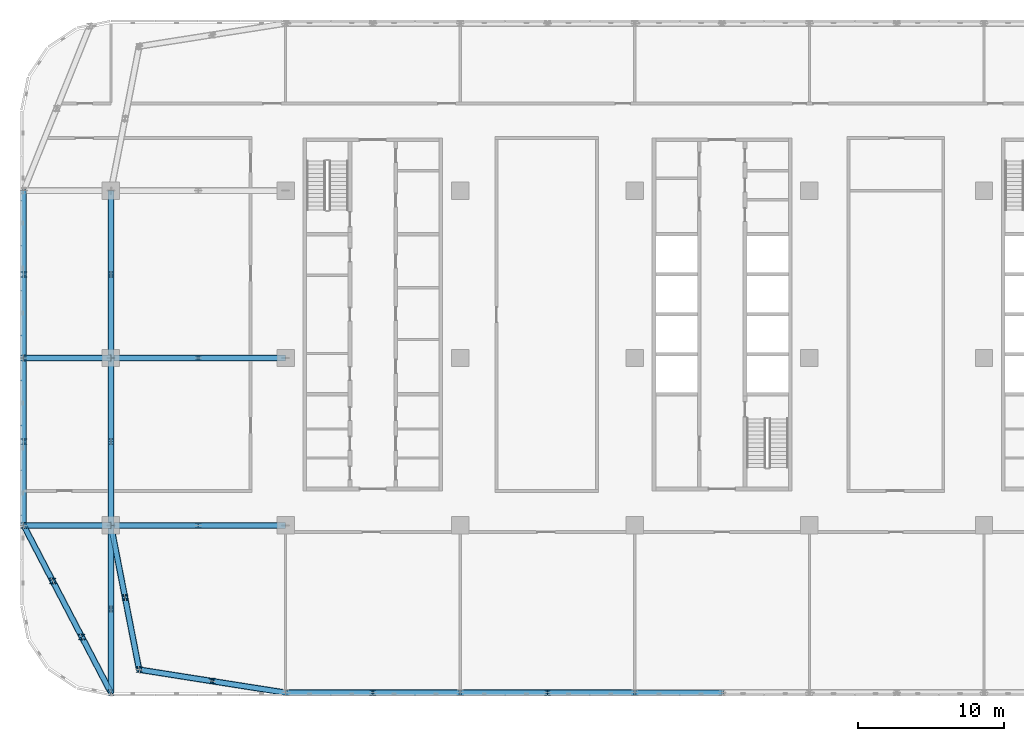
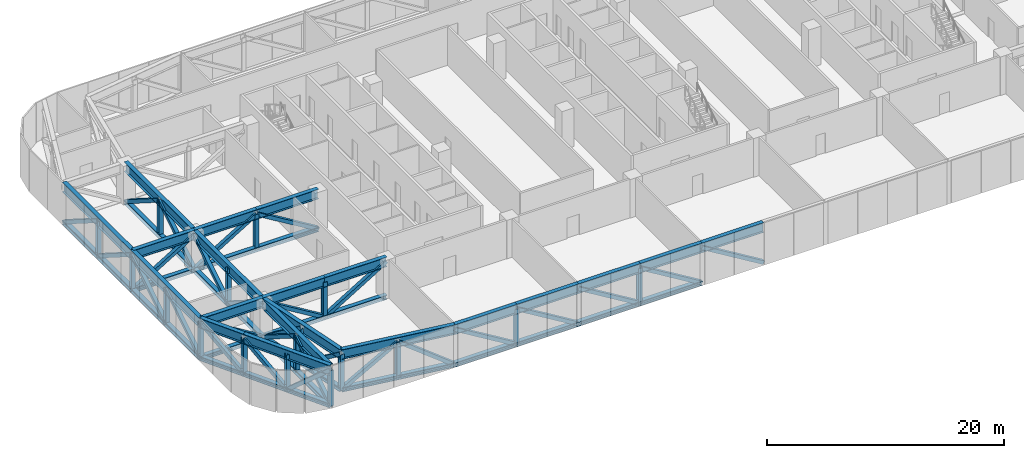
# One storey, part 3 of 26: 80 members.
"""IFC4 building model written with IfcOpenShell, lengths in metres."""

import ifcopenshell
import ifcopenshell.guid

model = None  # the IFC model being written
_history = None  # IfcOwnerHistory: only IFC2X3 demands one
_inside = {}  # id of a spatial element -> (the spatial element, [elements in it])
_under = {}  # id of a project, library or spatial element -> (it, [spatial elements below it])
_declared = {}  # id of a project -> (the project, [libraries it declares])
_typed = {}  # id of a type object -> (the type object, [elements of that type])
_made_of = {}  # id of a material, layer set ... -> (it, [elements and type objects made of it])


def new_model(schema):
    """Start an empty IFC model of exactly this schema.

    Asked for "IFC4X3", IfcOpenShell would pick the latest addendum, in which some entities
    have other attributes; the version numbers below select the first issue.
    IFC2X3 requires an IfcOwnerHistory on every rooted entity: one is made here for all.
    """
    global model, _history
    if schema == "IFC4X3":
        model = ifcopenshell.file(schema_version=(4, 3, 0, 0))
    else:
        model = ifcopenshell.file(schema=schema)
    _inside.clear()
    _under.clear()
    _declared.clear()
    _typed.clear()
    _made_of.clear()
    _history = None
    if model.schema == "IFC2X3":
        org = make("IfcOrganization", Name="unknown")
        user = make(
            "IfcPersonAndOrganization",
            ThePerson=make("IfcPerson", FamilyName="unknown"),
            TheOrganization=org,
        )
        app = make(
            "IfcApplication",
            ApplicationDeveloper=org,
            Version="unknown",
            ApplicationFullName="unknown",
            ApplicationIdentifier="unknown",
        )
        _history = make(
            "IfcOwnerHistory",
            OwningUser=user,
            OwningApplication=app,
            ChangeAction="ADDED",
            CreationDate=0,
        )
    return model


def make(cls, **values):
    """One entity of the class cls with the attributes given. An attribute that is None is left unset."""
    return model.create_entity(
        cls, **{name: value for name, value in values.items() if value is not None}
    )


def rooted(cls, **values):
    """An entity with a GlobalId (a new one), such as an element, a storey or a relation."""
    return make(cls, GlobalId=ifcopenshell.guid.new(), OwnerHistory=_history, **values)


def si_unit(unit_type, name, prefix=None):
    """IfcSIUnit, for example si_unit("LENGTHUNIT", "METRE", prefix="MILLI")."""
    return make("IfcSIUnit", UnitType=unit_type, Prefix=prefix, Name=name)


def assignment(units):
    """IfcUnitAssignment: the units of a project."""
    return None if units is None else make("IfcUnitAssignment", Units=units)


def point(xyz):
    """IfcCartesianPoint."""
    return None if xyz is None else make("IfcCartesianPoint", Coordinates=xyz)


def direction(xyz):
    """IfcDirection."""
    return None if xyz is None else make("IfcDirection", DirectionRatios=xyz)


def frame(location, z_axis=None, x_axis=None):
    """IfcAxis2Placement3D, a coordinate frame: its origin and axes. An axis left out is left unset."""
    return make(
        "IfcAxis2Placement3D",
        Location=point(location),
        Axis=direction(z_axis),
        RefDirection=direction(x_axis),
    )


def frame_2d(location, x_axis=None):
    """IfcAxis2Placement2D, a coordinate frame in the plane: its origin and x axis."""
    return make(
        "IfcAxis2Placement2D", Location=point(location), RefDirection=direction(x_axis)
    )


def origin():
    """The frame at (0, 0, 0) with its axes left unset."""
    return frame((0.0, 0.0, 0.0))


def origin_2d():
    """The frame at (0, 0) in the plane with its x axis left unset."""
    return frame_2d((0.0, 0.0))


def place(relative_to, where):
    """IfcLocalPlacement: puts the frame where relative to a parent placement (None: the world)."""
    return make(
        "IfcLocalPlacement", PlacementRelTo=relative_to, RelativePlacement=where
    )


def context(
    kind, dimensions, precision=None, world=None, true_north=None, identifier=None
):
    """IfcGeometricRepresentationContext, for example the 3D "Model" context."""
    return make(
        "IfcGeometricRepresentationContext",
        ContextIdentifier=identifier,
        ContextType=kind,
        CoordinateSpaceDimension=dimensions,
        Precision=precision,
        WorldCoordinateSystem=world,
        TrueNorth=true_north,
    )


def subcontext(parent, identifier, kind, view, scale=None):
    """IfcGeometricRepresentationSubContext, for example "Body" below "Model"."""
    return make(
        "IfcGeometricRepresentationSubContext",
        ContextIdentifier=identifier,
        ContextType=kind,
        ParentContext=parent,
        TargetScale=scale,
        TargetView=view,
    )


def project(units=None, contexts=None):
    """IfcProject with its units and contexts."""
    return rooted(
        "IfcProject",
        Name="project",
        RepresentationContexts=contexts,
        UnitsInContext=assignment(units),
    )


def spatial(cls, under=None, at=None, **own):
    """A site, building, storey or space (cls), placed at a placement, below another one or the project."""
    s = rooted(cls, ObjectPlacement=at, **own)
    if under is not None:
        _under.setdefault(under.id(), (under, []))[1].append(s)
    return s


def profile(cls, at=None, kind="AREA", **sizes):
    """A parametric profile (cls). Its sizes go by their IFC names, for example OverallWidth=200.0."""
    return make(cls, ProfileType=kind, Position=at, **sizes)


def hollow_rectangle(**sizes):
    """IfcRectangleHollowProfileDef."""
    return profile("IfcRectangleHollowProfileDef", **sizes)


def i_section(**sizes):
    """IfcIShapeProfileDef."""
    return profile("IfcIShapeProfileDef", **sizes)


def extrude(swept, where, along, depth):
    """IfcExtrudedAreaSolid: the profile swept, set in the frame where, extruded along a direction by depth."""
    return make(
        "IfcExtrudedAreaSolid",
        SweptArea=swept,
        Position=where,
        ExtrudedDirection=direction(along),
        Depth=depth,
    )


def shape(context_of_items, identifier, shape_type, items):
    """IfcShapeRepresentation: the items that make up one representation, for example the "Body"."""
    return make(
        "IfcShapeRepresentation",
        ContextOfItems=context_of_items,
        RepresentationIdentifier=identifier,
        RepresentationType=shape_type,
        Items=items,
    )


def material(Name=None, Category=None):
    """IfcMaterial."""
    return make("IfcMaterial", Name=Name, Category=Category)


def material_profile(
    of_material, cross_section, Name=None, Category=None, Priority=None
):
    """IfcMaterialProfile: a cross section and its material."""
    return make(
        "IfcMaterialProfile",
        Name=Name,
        Material=of_material,
        Profile=cross_section,
        Priority=Priority,
        Category=Category,
    )


def profile_set(profiles, Name=None, composite=None):
    """IfcMaterialProfileSet."""
    return make(
        "IfcMaterialProfileSet",
        Name=Name,
        MaterialProfiles=profiles,
        CompositeProfile=composite,
    )


def made_of(thing, what):
    """Note that an element or type object is made of a material, layer set ...; save() writes the relation."""
    if what is not None:
        _made_of.setdefault(what.id(), (what, []))[1].append(thing)
    return thing


def type_object(cls, material=None, **own):
    """A type object (cls), such as IfcWallType, which elements share."""
    return made_of(rooted(cls, **own), material)


def element(
    cls,
    number,
    at=None,
    inside=None,
    cuts=None,
    type_object=None,
    material=None,
    context=None,
    identifier="Body",
    shape_type=None,
    held_by="IfcProductDefinitionShape",
    body=None,
    shapes=None,
    **own,
):
    """One element of the class cls, such as IfcWall. Its Tag is "e" and its number.

    at: its placement. inside: the storey or other place that contains it. cuts: it is an
    opening in that element (IfcRelVoidsElement). A single representation is given by context,
    identifier, shape_type and body (its items); several are given by shapes. held_by: the class
    of the entity that holds the representations. save() writes the other relations.
    """
    e = rooted(cls, Tag="e%d" % number, ObjectPlacement=at, **own)
    if body is not None:
        shapes = [shape(context, identifier, shape_type, body)]
    if shapes is not None:
        e.Representation = make(held_by, Representations=shapes)
    if inside is not None:
        _inside.setdefault(inside.id(), (inside, []))[1].append(e)
    if cuts is not None:
        rooted(
            "IfcRelVoidsElement", RelatingBuildingElement=cuts, RelatedOpeningElement=e
        )
    if type_object is not None:
        _typed.setdefault(type_object.id(), (type_object, []))[1].append(e)
    return made_of(e, material)


def aggregate(whole, parts):
    """IfcRelAggregates: a whole, such as a stair, and the parts it consists of."""
    return rooted("IfcRelAggregates", RelatingObject=whole, RelatedObjects=parts)


def save(model, path):
    """Write the relations noted so far, then the file.

    IfcRelAggregates (storeys below a building ...), IfcRelContainedInSpatialStructure (elements
    in a storey), IfcRelDefinesByType, IfcRelAssociatesMaterial and IfcRelDeclares: one each for
    every whole, place, type object, material and project.
    """
    for whole, parts in _under.values():
        aggregate(whole, parts)
    for where, things in _inside.values():
        rooted(
            "IfcRelContainedInSpatialStructure",
            RelatedElements=things,
            RelatingStructure=where,
        )
    for kind, things in _typed.values():
        rooted("IfcRelDefinesByType", RelatedObjects=things, RelatingType=kind)
    for what, things in _made_of.values():
        rooted("IfcRelAssociatesMaterial", RelatedObjects=things, RelatingMaterial=what)
    for by, libraries in _declared.values():
        rooted("IfcRelDeclares", RelatingContext=by, RelatedDefinitions=libraries)
    model.write(path)


model = new_model("IFC4")

# Units and contexts
model_context = context("Model", 3, precision=1e-05, world=origin(), true_north=direction((0.0, 1.0)))
body_context = subcontext(model_context, "Body", "Model", "MODEL_VIEW")
ifc_project = project(units=[si_unit("LENGTHUNIT", "METRE"), si_unit("AREAUNIT", "SQUARE_METRE"), si_unit("VOLUMEUNIT", "CUBIC_METRE"), si_unit("PLANEANGLEUNIT", "RADIAN"), si_unit("MASSUNIT", "GRAM", prefix="KILO")], contexts=[model_context])

# Site, building, storey
site_placement = place(None, origin())
site = spatial("IfcSite", under=ifc_project, at=site_placement, CompositionType="ELEMENT")
building_placement = place(site_placement, origin())
building = spatial("IfcBuilding", under=site, at=building_placement, Name="Mahtab Terrace Research Tower", CompositionType="ELEMENT")
storey_placement = place(building_placement, frame((0.0, 0.0, 189.60009765625)))
storey = spatial("IfcBuildingStorey", under=building, at=storey_placement, Name="L45", CompositionType="ELEMENT", Elevation=189.60009765625)

# Members
ifc_material_1 = material(Name="Steel ASTM A500 Gr C", Category="steel")
ifc_material_profile_1 = material_profile(ifc_material_1, hollow_rectangle(XDim=0.355712890625, YDim=0.355712890625, WallThickness=0.015869140625, at=origin_2d()), Name="HSS14X14X5/8")
ifc_profile_set_1 = profile_set([ifc_material_profile_1], Name="Steel ASTM A500 Gr C")
member_type_1 = type_object("IfcMemberType", Name="HSS 14x14x5/8 brace TD141458", PredefinedType="BRACE", material=ifc_profile_set_1)
member_1_placement = place(storey_placement, frame((-48.0, -11.5, -0.177734375), z_axis=(0.0, 0.845115229352, 0.534584183377), x_axis=(-1.0, 0.0, 0.0)))
element("IfcMember", 1, at=member_1_placement, inside=storey, type_object=member_type_1, Name="Transfer truss T5 diagonal 001", PredefinedType="BRACE", context=body_context, shape_type="SweptSolid", body=[
    extrude(hollow_rectangle(XDim=0.355712890625, YDim=0.355712890625, WallThickness=0.015869140625, at=origin_2d()), origin(), (0.0, 0.0, 1.0), 6.8037109375),
])
member_2_placement = place(storey_placement, frame((-42.0, -11.5, -0.177734375), z_axis=(-0.855144546512, 0.0, 0.518389626218), x_axis=(0.0, -1.0, 0.0)))
element("IfcMember", 2, at=member_2_placement, inside=storey, type_object=member_type_1, Name="Transfer truss T5 diagonal 002", PredefinedType="BRACE", context=body_context, shape_type="SweptSolid", body=[
    extrude(hollow_rectangle(XDim=0.355712890625, YDim=0.355712890625, WallThickness=0.015869140625, at=origin_2d()), origin(), (0.0, 0.0, 1.0), 7.016357421875),
])
for number, where, z_axis, x_axis, name in (
    (3, (-48.0, -5.75, -0.177734375), (0.0, 0.845115229352, 0.534584183377), (-1.0, 0.0, 0.0), "Transfer truss T5 diagonal 003"),
    (4, (-48.0, 5.75, -0.177734375), (0.0, -0.845115229352, 0.534584183377), (1.0, 0.0, 0.0), "Transfer truss T5 diagonal 004"),
):
    element("IfcMember", number, at=place(storey_placement, frame(where, z_axis=z_axis, x_axis=x_axis)), inside=storey, type_object=member_type_1, Name=name, PredefinedType="BRACE", context=body_context, shape_type="SweptSolid", body=[
        extrude(hollow_rectangle(XDim=0.355712890625, YDim=0.355712890625, WallThickness=0.015869140625, at=origin_2d()), origin(), (0.0, 0.0, 1.0), 6.8037109375),
    ])
member_3_placement = place(storey_placement, frame((-48.0, 0.0, -0.177734375), z_axis=(0.855144546512, 0.0, 0.518389626218), x_axis=(0.0, 1.0, 0.0)))
element("IfcMember", 5, at=member_3_placement, inside=storey, type_object=member_type_1, Name="Transfer truss T5 diagonal 005", PredefinedType="BRACE", context=body_context, shape_type="SweptSolid", body=[
    extrude(hollow_rectangle(XDim=0.355712890625, YDim=0.355712890625, WallThickness=0.015869140625, at=origin_2d()), origin(), (0.0, 0.0, 1.0), 7.016357421875),
])
member_4_placement = place(storey_placement, frame((-48.0, 11.5, -0.177734375), z_axis=(0.0, -0.845115229352, 0.534584183377), x_axis=(1.0, 0.0, 0.0)))
element("IfcMember", 6, at=member_4_placement, inside=storey, type_object=member_type_1, Name="Transfer truss T5 diagonal 006", PredefinedType="BRACE", context=body_context, shape_type="SweptSolid", body=[
    extrude(hollow_rectangle(XDim=0.355712890625, YDim=0.355712890625, WallThickness=0.015869140625, at=origin_2d()), origin(), (0.0, 0.0, 1.0), 6.8037109375),
])
member_5_placement = place(storey_placement, frame((-46.0, -15.3330078125, -0.177734375), z_axis=(-0.353989376425, 0.678422022689, 0.64376632446), x_axis=(-0.886568735502, -0.462596884155, 0.0)))
element("IfcMember", 7, at=member_5_placement, inside=storey, type_object=member_type_1, Name="Transfer truss T5 diagonal 009", PredefinedType="BRACE", context=body_context, shape_type="SweptSolid", body=[
    extrude(hollow_rectangle(XDim=0.355712890625, YDim=0.355712890625, WallThickness=0.015869140625, at=origin_2d()), origin(), (0.0, 0.0, 1.0), 5.64990234375),
])
member_6_placement = place(storey_placement, frame((-44.0, -19.1669921875, -0.177734375), z_axis=(-0.353947868658, 0.678515298999, 0.643690838289), x_axis=(-0.886617057815, -0.462504262457, 0.0)))
element("IfcMember", 8, at=member_6_placement, inside=storey, type_object=member_type_1, Name="Transfer truss T5 diagonal 011", PredefinedType="BRACE", context=body_context, shape_type="SweptSolid", body=[
    extrude(hollow_rectangle(XDim=0.355712890625, YDim=0.355712890625, WallThickness=0.015869140625, at=origin_2d()), origin(), (0.0, 0.0, 1.0), 5.650634765625),
])
member_7_placement = place(storey_placement, frame((-44.0, -19.1669921875, -0.177734375), z_axis=(0.353989376425, -0.678422022689, 0.64376632446), x_axis=(0.886568735502, 0.462596884155, 0.0)))
element("IfcMember", 9, at=member_7_placement, inside=storey, type_object=member_type_1, Name="Transfer truss T5 diagonal 012", PredefinedType="BRACE", context=body_context, shape_type="SweptSolid", body=[
    extrude(hollow_rectangle(XDim=0.355712890625, YDim=0.355712890625, WallThickness=0.015869140625, at=origin_2d()), origin(), (0.0, 0.0, 1.0), 5.64990234375),
])
for number, where, z_axis, x_axis, name in (
    (10, (-42.0, -23.0, -0.177734375), (0.0, 0.845115229352, 0.534584183377), (-1.0, 0.0, 0.0), "Transfer truss T5 diagonal 013"),
    (11, (-42.0, -11.5, -0.177734375), (0.0, -0.845115229352, 0.534584183377), (1.0, 0.0, 0.0), "Transfer truss T5 diagonal 014"),
):
    element("IfcMember", number, at=place(storey_placement, frame(where, z_axis=z_axis, x_axis=x_axis)), inside=storey, type_object=member_type_1, Name=name, PredefinedType="BRACE", context=body_context, shape_type="SweptSolid", body=[
        extrude(hollow_rectangle(XDim=0.355712890625, YDim=0.355712890625, WallThickness=0.015869140625, at=origin_2d()), origin(), (0.0, 0.0, 1.0), 6.8037109375),
    ])
member_8_placement = place(storey_placement, frame((-42.0, -11.5, -0.177734375), z_axis=(0.1556628319, -0.79647286224, 0.584294499786), x_axis=(0.981431833016, 0.191811253951, 0.0)))
element("IfcMember", 12, at=member_8_placement, inside=storey, type_object=member_type_1, Name="Transfer truss T5 diagonal 015", PredefinedType="BRACE", context=body_context, shape_type="SweptSolid", body=[
    extrude(hollow_rectangle(XDim=0.355712890625, YDim=0.355712890625, WallThickness=0.015869140625, at=origin_2d()), origin(), (0.0, 0.0, 1.0), 6.224853515625),
])
member_9_placement = place(storey_placement, frame((-36.0, -11.5, -0.177734375), z_axis=(-0.855144546512, 0.0, 0.518389626218), x_axis=(0.0, -1.0, 0.0)))
element("IfcMember", 13, at=member_9_placement, inside=storey, type_object=member_type_1, Name="Transfer truss T5 diagonal 016", PredefinedType="BRACE", context=body_context, shape_type="SweptSolid", body=[
    extrude(hollow_rectangle(XDim=0.355712890625, YDim=0.355712890625, WallThickness=0.015869140625, at=origin_2d()), origin(), (0.0, 0.0, 1.0), 7.016357421875),
])
for number, where, z_axis, x_axis, name in (
    (14, (-42.0, -5.75, -0.177734375), (0.0, -0.845115229352, 0.534584183377), (1.0, 0.0, 0.0), "Transfer truss T5 diagonal 017"),
    (15, (-42.0, -5.75, -0.177734375), (0.0, 0.845115229352, 0.534584183377), (-1.0, 0.0, 0.0), "Transfer truss T5 diagonal 018"),
):
    element("IfcMember", number, at=place(storey_placement, frame(where, z_axis=z_axis, x_axis=x_axis)), inside=storey, type_object=member_type_1, Name=name, PredefinedType="BRACE", context=body_context, shape_type="SweptSolid", body=[
        extrude(hollow_rectangle(XDim=0.355712890625, YDim=0.355712890625, WallThickness=0.015869140625, at=origin_2d()), origin(), (0.0, 0.0, 1.0), 6.8037109375),
    ])
member_10_placement = place(storey_placement, frame((-42.0, 0.0, -0.177734375), z_axis=(0.855144546512, 0.0, 0.518389626218), x_axis=(0.0, 1.0, 0.0)))
element("IfcMember", 16, at=member_10_placement, inside=storey, type_object=member_type_1, Name="Transfer truss T5 diagonal 019", PredefinedType="BRACE", context=body_context, shape_type="SweptSolid", body=[
    extrude(hollow_rectangle(XDim=0.355712890625, YDim=0.355712890625, WallThickness=0.015869140625, at=origin_2d()), origin(), (0.0, 0.0, 1.0), 7.016357421875),
])
for number, where, z_axis, x_axis, name in (
    (17, (-42.0, 0.0, -0.177734375), (0.0, 0.845115229352, 0.534584183377), (-1.0, 0.0, 0.0), "Transfer truss T5 diagonal 020"),
    (18, (-42.0, 11.5, -0.177734375), (0.0, -0.845115229352, 0.534584183377), (1.0, 0.0, 0.0), "Transfer truss T5 diagonal 021"),
):
    element("IfcMember", number, at=place(storey_placement, frame(where, z_axis=z_axis, x_axis=x_axis)), inside=storey, type_object=member_type_1, Name=name, PredefinedType="BRACE", context=body_context, shape_type="SweptSolid", body=[
        extrude(hollow_rectangle(XDim=0.355712890625, YDim=0.355712890625, WallThickness=0.015869140625, at=origin_2d()), origin(), (0.0, 0.0, 1.0), 6.8037109375),
    ])
member_11_placement = place(storey_placement, frame((-41.031005859375, -16.4580078125, -0.177734375), z_axis=(0.1556628319, -0.79647286224, 0.584294499786), x_axis=(0.981431833016, 0.191811253951, 0.0)))
element("IfcMember", 19, at=member_11_placement, inside=storey, type_object=member_type_1, Name="Transfer truss T5 diagonal 023", PredefinedType="BRACE", context=body_context, shape_type="SweptSolid", body=[
    extrude(hollow_rectangle(XDim=0.355712890625, YDim=0.355712890625, WallThickness=0.015869140625, at=origin_2d()), origin(), (0.0, 0.0, 1.0), 6.224853515625),
])
member_12_placement = place(storey_placement, frame((-40.06201171875, -21.416015625, -0.177734375), z_axis=(0.803880768262, -0.126548707344, 0.581172207773), x_axis=(0.155507156777, 0.987834765632, 0.0)))
element("IfcMember", 20, at=member_12_placement, inside=storey, type_object=member_type_1, Name="Transfer truss T5 diagonal 025", PredefinedType="BRACE", context=body_context, shape_type="SweptSolid", body=[
    extrude(hollow_rectangle(XDim=0.355712890625, YDim=0.355712890625, WallThickness=0.015869140625, at=origin_2d()), origin(), (0.0, 0.0, 1.0), 6.25830078125),
])
for number, where, z_axis, x_axis, name in (
    (21, (-36.0, -11.5, -0.177734375), (0.855144546512, 0.0, 0.518389626218), (0.0, 1.0, 0.0), "Transfer truss T5 diagonal 027"),
    (22, (-30.0, 0.0, -0.177734375), (-0.855144546512, 0.0, 0.518389626218), (0.0, -1.0, 0.0), "Transfer truss T5 diagonal 028"),
):
    element("IfcMember", number, at=place(storey_placement, frame(where, z_axis=z_axis, x_axis=x_axis)), inside=storey, type_object=member_type_1, Name=name, PredefinedType="BRACE", context=body_context, shape_type="SweptSolid", body=[
        extrude(hollow_rectangle(XDim=0.355712890625, YDim=0.355712890625, WallThickness=0.015869140625, at=origin_2d()), origin(), (0.0, 0.0, 1.0), 7.016357421875),
    ])
member_13_placement = place(storey_placement, frame((-30.0, -23.0, -0.177734375), z_axis=(-0.803880768262, 0.126548707344, 0.581172207773), x_axis=(-0.155507156777, -0.987834765632, 0.0)))
element("IfcMember", 23, at=member_13_placement, inside=storey, type_object=member_type_1, Name="Transfer truss T5 diagonal 030", PredefinedType="BRACE", context=body_context, shape_type="SweptSolid", body=[
    extrude(hollow_rectangle(XDim=0.355712890625, YDim=0.355712890625, WallThickness=0.015869140625, at=origin_2d()), origin(), (0.0, 0.0, 1.0), 6.25830078125),
])
for number, where, z_axis, x_axis, name in (
    (24, (-24.0, -23.0, -0.177734375), (-0.855144546512, 0.0, 0.518389626218), (0.0, -1.0, 0.0), "Transfer truss T5 diagonal 032"),
    (25, (-18.0, -23.0, -0.177734375), (-0.855144546512, 0.0, 0.518389626218), (0.0, -1.0, 0.0), "Transfer truss T5 diagonal 034"),
    (26, (-12.0, -23.0, -0.177734375), (-0.855144546512, 0.0, 0.518389626218), (0.0, -1.0, 0.0), "Transfer truss T5 diagonal 036"),
    (27, (-6.0, -23.0, -0.177734375), (-0.855144546512, 0.0, 0.518389626218), (0.0, -1.0, 0.0), "Transfer truss T5 diagonal 038"),
    (28, (0.0, -23.0, -0.177734375), (-0.855144546512, 0.0, 0.518389626218), (0.0, -1.0, 0.0), "Transfer truss T5 diagonal 040"),
):
    element("IfcMember", number, at=place(storey_placement, frame(where, z_axis=z_axis, x_axis=x_axis)), inside=storey, type_object=member_type_1, Name=name, PredefinedType="BRACE", context=body_context, shape_type="SweptSolid", body=[
        extrude(hollow_rectangle(XDim=0.355712890625, YDim=0.355712890625, WallThickness=0.015869140625, at=origin_2d()), origin(), (0.0, 0.0, 1.0), 7.016357421875),
    ])
ifc_material_2 = material(Name="Steel ASTM A992 Gr 50", Category="steel")
ifc_material_profile_2 = material_profile(ifc_material_2, i_section(OverallWidth=0.396240234375, OverallDepth=0.381103515625, WebThickness=0.018798828125, FlangeThickness=0.0302734375, at=origin_2d()), Name="W14X159")
ifc_profile_set_2 = profile_set([ifc_material_profile_2], Name="Steel ASTM A992 Gr 50")
member_type_2 = type_object("IfcMemberType", Name="W14x159 post TP14159", PredefinedType="POST", material=ifc_profile_set_2)
for number, where, z_axis, x_axis, name in (
    (29, (-48.0, -11.5, -0.177734375), (0.0, 0.0, 1.0), (1.0, 0.0, 0.0), "Transfer truss T5 post 001"),
    (30, (-48.0, -5.75, -0.177734375), (0.0, 0.0, 1.0), (1.0, 0.0, 0.0), "Transfer truss T5 post 002"),
    (31, (-48.0, 0.0, -0.177734375), (0.0, 0.0, 1.0), (1.0, 0.0, 0.0), "Transfer truss T5 post 003"),
    (32, (-48.0, 5.75, -0.177734375), (0.0, 0.0, 1.0), (1.0, 0.0, 0.0), "Transfer truss T5 post 004"),
    (33, (-46.0, -15.330078125, -0.177734375), (0.0, 0.0, 1.0), (1.0, 0.0, 0.0), "Transfer truss T5 post 006"),
    (34, (-44.0, -19.169921875, -0.177734375), (0.0, 0.0, 1.0), (1.0, 0.0, 0.0), "Transfer truss T5 post 008"),
    (35, (-42.0, -23.0, -0.177734375), (0.0, 0.0, 1.0), (1.0, 0.0, 0.0), "Transfer truss T5 post 010"),
    (36, (-42.0, -17.25, -0.177734375), (0.0, 0.0, 1.0), (1.0, 0.0, 0.0), "Transfer truss T5 post 011"),
    (37, (-42.0, -5.75, -0.177734375), (0.0, 0.0, 1.0), (1.0, 0.0, 0.0), "Transfer truss T5 post 013"),
    (38, (-42.0, 5.75, -0.177734375), (0.0, 0.0, 1.0), (1.0, 0.0, 0.0), "Transfer truss T5 post 015"),
    (39, (-41.030029296875, -16.4599609375, -0.177734375), (0.0, 0.0, 1.0), (1.0, 0.0, 0.0), "Transfer truss T5 post 017"),
    (40, (-40.06005859375, -21.419921875, -0.177734375), (0.0, 0.0, 1.0), (1.0, 0.0, 0.0), "Transfer truss T5 post 019"),
    (41, (-36.0, -11.5, -0.177734375), (0.0, 0.0, 1.0), (1.0, 0.0, 0.0), "Transfer truss T5 post 021"),
    (42, (-36.0, 0.0, -0.177734375), (0.0, 0.0, 1.0), (1.0, 0.0, 0.0), "Transfer truss T5 post 022"),
    (43, (-35.030029296875, -22.2099609375, -0.177734375), (0.0, 0.0, 1.0), (1.0, 0.0, 0.0), "Transfer truss T5 post 024"),
    (44, (-24.0, -23.0, -0.177734375), (0.0, 0.0, 1.0), (1.0, 0.0, 0.0), "Transfer truss T5 post 031"),
    (45, (-12.0, -23.0, -0.177734375), (0.0, 0.0, 1.0), (1.0, 0.0, 0.0), "Transfer truss T5 post 035"),
):
    element("IfcMember", number, at=place(storey_placement, frame(where, z_axis=z_axis, x_axis=x_axis)), inside=storey, type_object=member_type_2, Name=name, PredefinedType="POST", context=body_context, shape_type="SweptSolid", body=[
        extrude(i_section(OverallWidth=0.396240234375, OverallDepth=0.381103515625, WebThickness=0.018798828125, FlangeThickness=0.0302734375, at=origin_2d()), origin(), (0.0, 0.0, 1.0), 3.63720703125),
    ])
ifc_material_profile_3 = material_profile(ifc_material_2, i_section(OverallWidth=0.41650390625, OverallDepth=0.444580078125, WebThickness=0.0390625, FlangeThickness=0.062744140625, at=origin_2d()), Name="W14X342")
ifc_profile_set_3 = profile_set([ifc_material_profile_3], Name="Steel ASTM A992 Gr 50")
member_type_3 = type_object("IfcMemberType", Name="W14x342 chord TC14342", PredefinedType="CHORD", material=ifc_profile_set_3)
for number, where, z_axis, x_axis, name in (
    (46, (-48.0, -11.5, -0.177734375), (0.0, 1.0, 0.0), (-1.0, 0.0, 0.0), "Transfer truss T5 bottom chord 001"),
    (47, (-48.0, 0.0, -0.177734375), (0.0, 1.0, 0.0), (-1.0, 0.0, 0.0), "Transfer truss T5 bottom chord 002"),
):
    element("IfcMember", number, at=place(storey_placement, frame(where, z_axis=z_axis, x_axis=x_axis)), inside=storey, type_object=member_type_3, Name=name, PredefinedType="CHORD", context=body_context, shape_type="SweptSolid", body=[
        extrude(i_section(OverallWidth=0.41650390625, OverallDepth=0.444580078125, WebThickness=0.0390625, FlangeThickness=0.062744140625, at=origin_2d()), origin(), (0.0, 0.0, 1.0), 11.5),
    ])
member_14_placement = place(storey_placement, frame((-48.0, -11.5, -0.177734375), z_axis=(1.0, 0.0, 0.0), x_axis=(0.0, 1.0, 0.0)))
element("IfcMember", 48, at=member_14_placement, inside=storey, type_object=member_type_3, Name="Transfer truss T5 bottom chord 003", PredefinedType="CHORD", context=body_context, shape_type="SweptSolid", body=[
    extrude(i_section(OverallWidth=0.41650390625, OverallDepth=0.444580078125, WebThickness=0.0390625, FlangeThickness=0.062744140625, at=origin_2d()), origin(), (0.0, 0.0, 1.0), 6.0),
])
member_15_placement = place(storey_placement, frame((-42.0, -11.5, -0.177734375), z_axis=(1.0, 0.0, 0.0), x_axis=(0.0, 1.0, 0.0)))
element("IfcMember", 49, at=member_15_placement, inside=storey, type_object=member_type_3, Name="Transfer truss T5 bottom chord 004", PredefinedType="CHORD", context=body_context, shape_type="SweptSolid", body=[
    extrude(i_section(OverallWidth=0.41650390625, OverallDepth=0.444580078125, WebThickness=0.0390625, FlangeThickness=0.062744140625, at=origin_2d()), origin(), (0.0, 0.0, 1.0), 12.0),
])
member_16_placement = place(storey_placement, frame((-42.0, -23.0, -0.177734375), z_axis=(-0.4625505693, 0.886592900287, 0.0), x_axis=(-0.886592900287, -0.4625505693, 0.0)))
element("IfcMember", 50, at=member_16_placement, inside=storey, type_object=member_type_3, Name="Transfer truss T5 bottom chord 005", PredefinedType="CHORD", context=body_context, shape_type="SweptSolid", body=[
    extrude(i_section(OverallWidth=0.41650390625, OverallDepth=0.444580078125, WebThickness=0.0390625, FlangeThickness=0.062744140625, at=origin_2d()), origin(), (0.0, 0.0, 1.0), 8.647705078125),
])
member_17_placement = place(storey_placement, frame((-46.0, -15.3330078125, -0.177734375), z_axis=(-0.462596884155, 0.886568735502, 0.0), x_axis=(-0.886568735502, -0.462596884155, 0.0)))
element("IfcMember", 51, at=member_17_placement, inside=storey, type_object=member_type_3, Name="Transfer truss T5 bottom chord 006", PredefinedType="CHORD", context=body_context, shape_type="SweptSolid", body=[
    extrude(i_section(OverallWidth=0.41650390625, OverallDepth=0.444580078125, WebThickness=0.0390625, FlangeThickness=0.062744140625, at=origin_2d()), origin(), (0.0, 0.0, 1.0), 4.323486328125),
])
member_18_placement = place(storey_placement, frame((-48.0, 0.0, -0.177734375), z_axis=(1.0, 0.0, 0.0), x_axis=(0.0, 1.0, 0.0)))
element("IfcMember", 52, at=member_18_placement, inside=storey, type_object=member_type_3, Name="Transfer truss T5 bottom chord 007", PredefinedType="CHORD", context=body_context, shape_type="SweptSolid", body=[
    extrude(i_section(OverallWidth=0.41650390625, OverallDepth=0.444580078125, WebThickness=0.0390625, FlangeThickness=0.062744140625, at=origin_2d()), origin(), (0.0, 0.0, 1.0), 6.0),
])
member_19_placement = place(storey_placement, frame((-42.0, 0.0, -0.177734375), z_axis=(1.0, 0.0, 0.0), x_axis=(0.0, 1.0, 0.0)))
element("IfcMember", 53, at=member_19_placement, inside=storey, type_object=member_type_3, Name="Transfer truss T5 bottom chord 008", PredefinedType="CHORD", context=body_context, shape_type="SweptSolid", body=[
    extrude(i_section(OverallWidth=0.41650390625, OverallDepth=0.444580078125, WebThickness=0.0390625, FlangeThickness=0.062744140625, at=origin_2d()), origin(), (0.0, 0.0, 1.0), 12.0),
])
for number, where, z_axis, x_axis, name in (
    (54, (-42.0, -23.0, -0.177734375), (0.0, 1.0, 0.0), (-1.0, 0.0, 0.0), "Transfer truss T5 bottom chord 013"),
    (55, (-42.0, -11.5, -0.177734375), (0.0, 1.0, 0.0), (-1.0, 0.0, 0.0), "Transfer truss T5 bottom chord 014"),
    (56, (-42.0, 0.0, -0.177734375), (0.0, 1.0, 0.0), (-1.0, 0.0, 0.0), "Transfer truss T5 bottom chord 015"),
):
    element("IfcMember", number, at=place(storey_placement, frame(where, z_axis=z_axis, x_axis=x_axis)), inside=storey, type_object=member_type_3, Name=name, PredefinedType="CHORD", context=body_context, shape_type="SweptSolid", body=[
        extrude(i_section(OverallWidth=0.41650390625, OverallDepth=0.444580078125, WebThickness=0.0390625, FlangeThickness=0.062744140625, at=origin_2d()), origin(), (0.0, 0.0, 1.0), 11.5),
    ])
member_20_placement = place(storey_placement, frame((-42.0, -11.5, -0.177734375), z_axis=(0.191811253951, -0.981431833016, 0.0), x_axis=(0.981431833016, 0.191811253951, 0.0)))
element("IfcMember", 57, at=member_20_placement, inside=storey, type_object=member_type_3, Name="Transfer truss T5 bottom chord 016", PredefinedType="CHORD", context=body_context, shape_type="SweptSolid", body=[
    extrude(i_section(OverallWidth=0.41650390625, OverallDepth=0.444580078125, WebThickness=0.0390625, FlangeThickness=0.062744140625, at=origin_2d()), origin(), (0.0, 0.0, 1.0), 10.103515625),
])
member_21_placement = place(storey_placement, frame((-40.06201171875, -21.416015625, -0.177734375), z_axis=(0.987834765632, -0.155507156777, 0.0), x_axis=(0.155507156777, 0.987834765632, 0.0)))
element("IfcMember", 58, at=member_21_placement, inside=storey, type_object=member_type_3, Name="Transfer truss T5 bottom chord 018", PredefinedType="CHORD", context=body_context, shape_type="SweptSolid", body=[
    extrude(i_section(OverallWidth=0.41650390625, OverallDepth=0.444580078125, WebThickness=0.0390625, FlangeThickness=0.062744140625, at=origin_2d()), origin(), (0.0, 0.0, 1.0), 10.18603515625),
])
for number, where, z_axis, x_axis, name in (
    (59, (-30.0, -23.0, -0.177734375), (1.0, 0.0, 0.0), (0.0, 1.0, 0.0), "Transfer truss T5 bottom chord 020"),
    (60, (-18.0, -23.0, -0.177734375), (1.0, 0.0, 0.0), (0.0, 1.0, 0.0), "Transfer truss T5 bottom chord 021"),
):
    element("IfcMember", number, at=place(storey_placement, frame(where, z_axis=z_axis, x_axis=x_axis)), inside=storey, type_object=member_type_3, Name=name, PredefinedType="CHORD", context=body_context, shape_type="SweptSolid", body=[
        extrude(i_section(OverallWidth=0.41650390625, OverallDepth=0.444580078125, WebThickness=0.0390625, FlangeThickness=0.062744140625, at=origin_2d()), origin(), (0.0, 0.0, 1.0), 12.0),
    ])
ifc_material_profile_4 = material_profile(ifc_material_2, i_section(OverallWidth=0.4013671875, OverallDepth=1.000732421875, WebThickness=0.01904296875, FlangeThickness=0.0361328125, at=origin_2d()), Name="W40X249")
ifc_profile_set_4 = profile_set([ifc_material_profile_4], Name="Steel ASTM A992 Gr 50")
member_type_4 = type_object("IfcMemberType", Name="W40x249 chord TT40249", PredefinedType="CHORD", material=ifc_profile_set_4)
for number, where, z_axis, x_axis, name in (
    (61, (-48.0, -11.5, 3.45947265625), (0.0, 1.0, 0.0), (-1.0, 0.0, 0.0), "Transfer truss T5 top chord 001"),
    (62, (-48.0, 0.0, 3.45947265625), (0.0, 1.0, 0.0), (-1.0, 0.0, 0.0), "Transfer truss T5 top chord 002"),
):
    element("IfcMember", number, at=place(storey_placement, frame(where, z_axis=z_axis, x_axis=x_axis)), inside=storey, type_object=member_type_4, Name=name, PredefinedType="CHORD", context=body_context, shape_type="SweptSolid", body=[
        extrude(i_section(OverallWidth=0.4013671875, OverallDepth=1.000732421875, WebThickness=0.01904296875, FlangeThickness=0.0361328125, at=origin_2d()), origin(), (0.0, 0.0, 1.0), 11.5),
    ])
for number, where, z_axis, x_axis, name in (
    (63, (-48.0, -11.5, 3.45947265625), (1.0, 0.0, 0.0), (0.0, 1.0, 0.0), "Transfer truss T5 top chord 003"),
    (64, (-42.0, -11.5, 3.45947265625), (1.0, 0.0, 0.0), (0.0, 1.0, 0.0), "Transfer truss T5 top chord 004"),
    (65, (-36.0, -11.5, 3.45947265625), (1.0, 0.0, 0.0), (0.0, 1.0, 0.0), "Transfer truss T5 top chord 005"),
):
    element("IfcMember", number, at=place(storey_placement, frame(where, z_axis=z_axis, x_axis=x_axis)), inside=storey, type_object=member_type_4, Name=name, PredefinedType="CHORD", context=body_context, shape_type="SweptSolid", body=[
        extrude(i_section(OverallWidth=0.4013671875, OverallDepth=1.000732421875, WebThickness=0.01904296875, FlangeThickness=0.0361328125, at=origin_2d()), origin(), (0.0, 0.0, 1.0), 6.0),
    ])
member_22_placement = place(storey_placement, frame((-42.0, -23.0, 3.45947265625), z_axis=(-0.4625505693, 0.886592900287, 0.0), x_axis=(-0.886592900287, -0.4625505693, 0.0)))
element("IfcMember", 66, at=member_22_placement, inside=storey, type_object=member_type_4, Name="Transfer truss T5 top chord 006", PredefinedType="CHORD", context=body_context, shape_type="SweptSolid", body=[
    extrude(i_section(OverallWidth=0.4013671875, OverallDepth=1.000732421875, WebThickness=0.01904296875, FlangeThickness=0.0361328125, at=origin_2d()), origin(), (0.0, 0.0, 1.0), 8.647705078125),
])
member_23_placement = place(storey_placement, frame((-46.0, -15.3330078125, 3.45947265625), z_axis=(-0.462596884155, 0.886568735502, 0.0), x_axis=(-0.886568735502, -0.462596884155, 0.0)))
element("IfcMember", 67, at=member_23_placement, inside=storey, type_object=member_type_4, Name="Transfer truss T5 top chord 007", PredefinedType="CHORD", context=body_context, shape_type="SweptSolid", body=[
    extrude(i_section(OverallWidth=0.4013671875, OverallDepth=1.000732421875, WebThickness=0.01904296875, FlangeThickness=0.0361328125, at=origin_2d()), origin(), (0.0, 0.0, 1.0), 4.323486328125),
])
for number, where, z_axis, x_axis, name in (
    (68, (-48.0, 0.0, 3.45947265625), (1.0, 0.0, 0.0), (0.0, 1.0, 0.0), "Transfer truss T5 top chord 008"),
    (69, (-42.0, 0.0, 3.45947265625), (1.0, 0.0, 0.0), (0.0, 1.0, 0.0), "Transfer truss T5 top chord 009"),
    (70, (-36.0, 0.0, 3.45947265625), (1.0, 0.0, 0.0), (0.0, 1.0, 0.0), "Transfer truss T5 top chord 010"),
):
    element("IfcMember", number, at=place(storey_placement, frame(where, z_axis=z_axis, x_axis=x_axis)), inside=storey, type_object=member_type_4, Name=name, PredefinedType="CHORD", context=body_context, shape_type="SweptSolid", body=[
        extrude(i_section(OverallWidth=0.4013671875, OverallDepth=1.000732421875, WebThickness=0.01904296875, FlangeThickness=0.0361328125, at=origin_2d()), origin(), (0.0, 0.0, 1.0), 6.0),
    ])
for number, where, z_axis, x_axis, name in (
    (71, (-42.0, -23.0, 3.45947265625), (0.0, 1.0, 0.0), (-1.0, 0.0, 0.0), "Transfer truss T5 top chord 016"),
    (72, (-42.0, -11.5, 3.45947265625), (0.0, 1.0, 0.0), (-1.0, 0.0, 0.0), "Transfer truss T5 top chord 017"),
    (73, (-42.0, 0.0, 3.45947265625), (0.0, 1.0, 0.0), (-1.0, 0.0, 0.0), "Transfer truss T5 top chord 018"),
):
    element("IfcMember", number, at=place(storey_placement, frame(where, z_axis=z_axis, x_axis=x_axis)), inside=storey, type_object=member_type_4, Name=name, PredefinedType="CHORD", context=body_context, shape_type="SweptSolid", body=[
        extrude(i_section(OverallWidth=0.4013671875, OverallDepth=1.000732421875, WebThickness=0.01904296875, FlangeThickness=0.0361328125, at=origin_2d()), origin(), (0.0, 0.0, 1.0), 11.5),
    ])
member_24_placement = place(storey_placement, frame((-42.0, -11.5, 3.45947265625), z_axis=(0.191811253951, -0.981431833016, 0.0), x_axis=(0.981431833016, 0.191811253951, 0.0)))
element("IfcMember", 74, at=member_24_placement, inside=storey, type_object=member_type_4, Name="Transfer truss T5 top chord 019", PredefinedType="CHORD", context=body_context, shape_type="SweptSolid", body=[
    extrude(i_section(OverallWidth=0.4013671875, OverallDepth=1.000732421875, WebThickness=0.01904296875, FlangeThickness=0.0361328125, at=origin_2d()), origin(), (0.0, 0.0, 1.0), 10.103515625),
])
member_25_placement = place(storey_placement, frame((-40.06201171875, -21.416015625, 3.45947265625), z_axis=(0.987834765632, -0.155507156777, 0.0), x_axis=(0.155507156777, 0.987834765632, 0.0)))
element("IfcMember", 75, at=member_25_placement, inside=storey, type_object=member_type_4, Name="Transfer truss T5 top chord 021", PredefinedType="CHORD", context=body_context, shape_type="SweptSolid", body=[
    extrude(i_section(OverallWidth=0.4013671875, OverallDepth=1.000732421875, WebThickness=0.01904296875, FlangeThickness=0.0361328125, at=origin_2d()), origin(), (0.0, 0.0, 1.0), 10.18603515625),
])
for number, where, z_axis, x_axis, name in (
    (76, (-30.0, -23.0, 3.45947265625), (1.0, 0.0, 0.0), (0.0, 1.0, 0.0), "Transfer truss T5 top chord 023"),
    (77, (-24.0, -23.0, 3.45947265625), (1.0, 0.0, 0.0), (0.0, 1.0, 0.0), "Transfer truss T5 top chord 024"),
    (78, (-18.0, -23.0, 3.45947265625), (1.0, 0.0, 0.0), (0.0, 1.0, 0.0), "Transfer truss T5 top chord 025"),
    (79, (-12.0, -23.0, 3.45947265625), (1.0, 0.0, 0.0), (0.0, 1.0, 0.0), "Transfer truss T5 top chord 026"),
    (80, (-6.0, -23.0, 3.45947265625), (1.0, 0.0, 0.0), (0.0, 1.0, 0.0), "Transfer truss T5 top chord 027"),
):
    element("IfcMember", number, at=place(storey_placement, frame(where, z_axis=z_axis, x_axis=x_axis)), inside=storey, type_object=member_type_4, Name=name, PredefinedType="CHORD", context=body_context, shape_type="SweptSolid", body=[
        extrude(i_section(OverallWidth=0.4013671875, OverallDepth=1.000732421875, WebThickness=0.01904296875, FlangeThickness=0.0361328125, at=origin_2d()), origin(), (0.0, 0.0, 1.0), 6.0),
    ])

save(model, "model.ifc")
